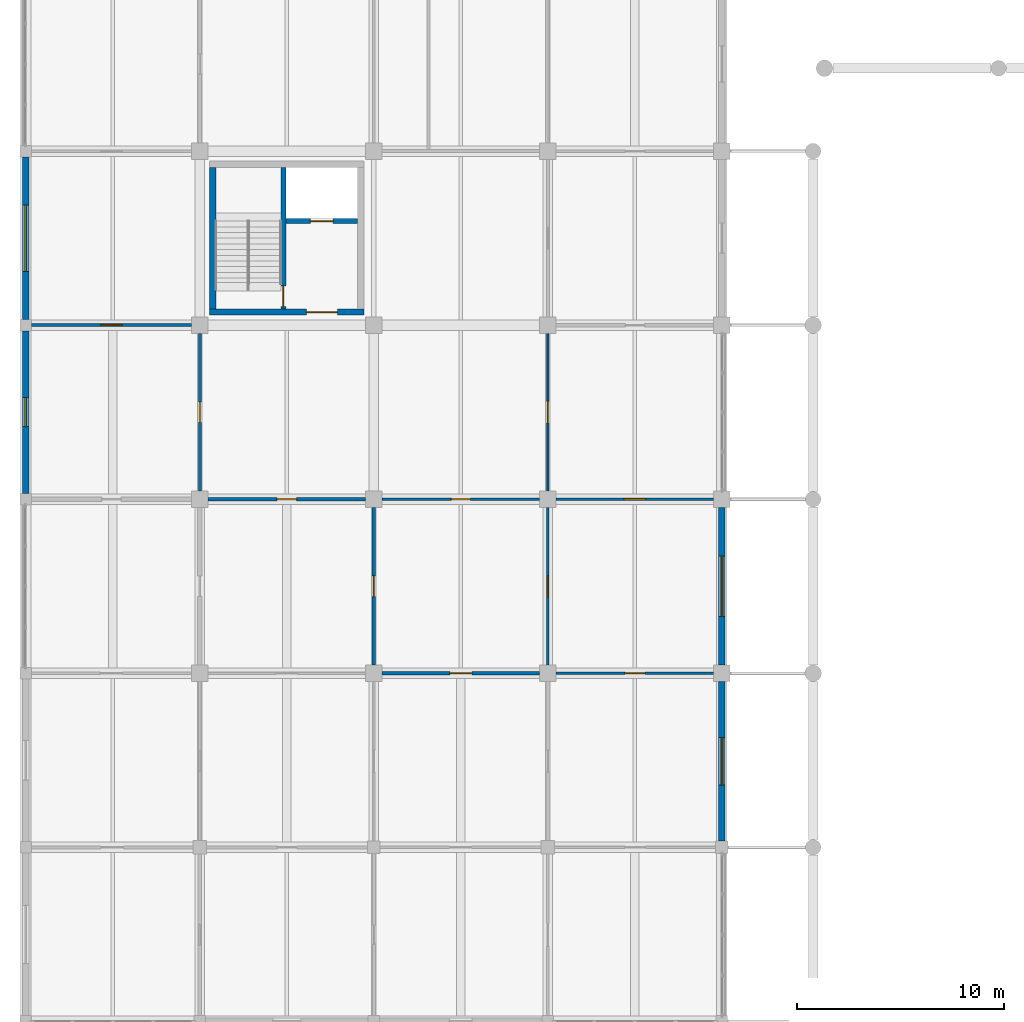
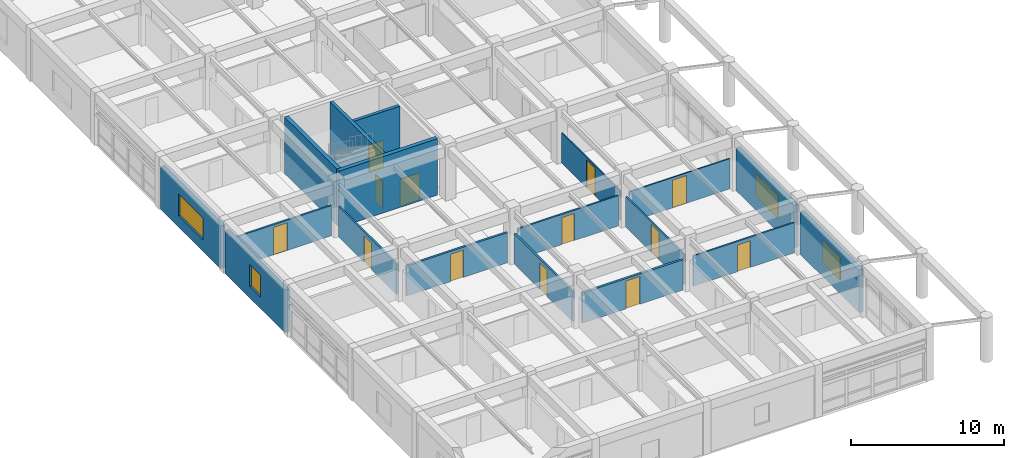
# One storey, part 80 of 99: 18 walls, 13 doors, 4 windows, 17 openings.
"""IFC4 building model written with IfcOpenShell, lengths in metres."""

from ifc_helpers import new_model, si_unit, direction, frame, frame_2d, origin, place, context, subcontext, project, spatial, rectangle, extrude, material, layer, layer_set, type_object, element, fill, save


model = new_model("IFC4")

# Units and contexts
model_context = context("Model", 3, precision=1e-05, world=origin(), true_north=direction((0.0, 1.0)))
body_context = subcontext(model_context, "Body", "Model", "MODEL_VIEW")
ifc_project = project(units=[si_unit("LENGTHUNIT", "METRE"), si_unit("AREAUNIT", "SQUARE_METRE"), si_unit("VOLUMEUNIT", "CUBIC_METRE"), si_unit("PLANEANGLEUNIT", "RADIAN"), si_unit("MASSUNIT", "GRAM", prefix="KILO")], contexts=[model_context])

# Site, building, storey
site_placement = place(None, origin())
site = spatial("IfcSite", under=ifc_project, at=site_placement, CompositionType="ELEMENT")
building_placement = place(site_placement, origin())
building = spatial("IfcBuilding", under=site, at=building_placement, Name="Porcellanite Civic Hall", CompositionType="ELEMENT")
storey_placement = place(building_placement, frame((0.0, 0.0, 5.760009765625)))
storey = spatial("IfcBuildingStorey", under=building, at=storey_placement, Name="L01", CompositionType="ELEMENT", Elevation=5.760009765625)

# Wall, opening, door
ifc_material_1 = material(Name="Concrete N40 (40 MPa)", Category="concrete")
ifc_layer_1 = layer(ifc_material_1, 0.239990234375)
ifc_layer_set_1 = layer_set([ifc_layer_1], Name="Concrete N40 (40 MPa)")
wall_type_1 = type_object("IfcWallType", Name="CW-SH240", PredefinedType="SHEAR", material=ifc_layer_set_1)
wall_1_placement = place(storey_placement, frame((12.43994140625, 34.3798828125, 0.0), z_axis=(0.0, 0.0, 1.0), x_axis=(0.0, 1.0, 0.0)))
wall_1 = element("IfcWall", 1, at=wall_1_placement, inside=storey, type_object=wall_type_1, Name="Core divider C1 L01", PredefinedType="SHEAR", context=body_context, shape_type="SweptSolid", body=[
    extrude(rectangle(XDim=6.840087890625, YDim=0.239990234375, at=frame_2d((3.419921875, 0.0))), origin(), (0.0, 0.0, 1.0), 4.5),
])
opening_1_placement = place(wall_1_placement, frame((0.1201171875, 0.0, 0.0)))
opening_1 = element("IfcOpeningElement", 2, at=opening_1_placement, cuts=wall_1, Name="Opening FD-C1-L01-ST", PredefinedType="OPENING", context=body_context, shape_type="SweptSolid", body=[
    extrude(rectangle(XDim=1.0, YDim=2.14990234375, at=frame_2d((0.5, 1.074951171875))), frame((0.0, 0.1201171875, 0.0), z_axis=(0.0, -1.0, 0.0), x_axis=(1.0, 0.0, 0.0)), (0.0, 0.0, 1.0), 0.239990234375),
])
ifc_material_2 = material(Name="Fire-rated solid-core hardwood timber", Category="wood")
door_type_1 = type_object("IfcDoorType", Name="DR-FD100", OperationType="NOTDEFINED", PredefinedType="DOOR", material=ifc_material_2)
door_1_placement = place(opening_1_placement, origin())
door_1 = element("IfcDoor", 3, at=door_1_placement, inside=storey, type_object=door_type_1, Name="Fire stair door FD-C1-L01-ST", OperationType="SINGLE_SWING_RIGHT", OverallHeight=2.14990234375, OverallWidth=1.0, PredefinedType="DOOR", context=body_context, shape_type="SweptSolid", body=[
    extrude(rectangle(XDim=1.0, YDim=2.14990234375, at=frame_2d((0.5, 1.074951171875))), frame((0.0, 0.02490234375, 0.0), z_axis=(0.0, -1.0, 0.0), x_axis=(1.0, 0.0, 0.0)), (0.0, 0.0, 1.0), 0.050048828125),
])
fill(opening_1, door_1)

wall_2_placement = place(storey_placement, frame((12.56005859375, 38.6201171875, 0.0), z_axis=(0.0, 0.0, 1.0), x_axis=(1.0, 0.0, 0.0)))
wall_2 = element("IfcWall", 4, at=wall_2_placement, inside=storey, type_object=wall_type_1, Name="Lift shaft wall C1 L01", PredefinedType="SHEAR", context=body_context, shape_type="SweptSolid", body=[
    extrude(rectangle(XDim=3.4599609375, YDim=0.239990234375, at=frame_2d((1.72998046875, 0.0))), origin(), (0.0, 0.0, 1.0), 4.5),
])
opening_2_placement = place(wall_2_placement, frame((1.179931640625, 0.0, 0.0)))
opening_2 = element("IfcOpeningElement", 5, at=opening_2_placement, cuts=wall_2, Name="Opening LD-03", PredefinedType="OPENING", context=body_context, shape_type="SweptSolid", body=[
    extrude(rectangle(XDim=1.10009765625, YDim=2.14990234375, at=frame_2d((0.550048828125, 1.074951171875))), frame((0.0, 0.1201171875, 0.0), z_axis=(0.0, -1.0, 0.0), x_axis=(1.0, 0.0, 0.0)), (0.0, 0.0, 1.0), 0.239990234375),
])
ifc_material_3 = material(Name="Brushed stainless steel 316", Category="steel")
door_type_2 = type_object("IfcDoorType", Name="DR-LD110", OperationType="DOUBLE_DOOR_SLIDING", PredefinedType="DOOR", material=ifc_material_3)
door_2_placement = place(opening_2_placement, origin())
door_2 = element("IfcDoor", 6, at=door_2_placement, inside=storey, type_object=door_type_2, Name="Lift landing sliding door LD-03 L01", OperationType="DOUBLE_DOOR_SLIDING", OverallHeight=2.14990234375, OverallWidth=1.10009765625, PredefinedType="DOOR", context=body_context, shape_type="SweptSolid", body=[
    extrude(rectangle(XDim=1.10009765625, YDim=2.14990234375, at=frame_2d((0.550048828125, 1.074951171875))), frame((0.0, 0.02490234375, 0.0), z_axis=(0.0, -1.0, 0.0), x_axis=(1.0, 0.0, 0.0)), (0.0, 0.0, 1.0), 0.050048828125),
])
fill(opening_2, door_2)

ifc_material_4 = material(Name="Concrete N40 (40 MPa)", Category="concrete")
ifc_layer_2 = layer(ifc_material_4, 0.300048828125)
ifc_layer_set_2 = layer_set([ifc_layer_2], Name="Concrete N40 (40 MPa)")
wall_type_2 = type_object("IfcWallType", Name="CW-SH300", PredefinedType="SHEAR", material=ifc_layer_set_2)
wall_3_placement = place(storey_placement, frame((16.320068359375, 34.22998046875, 0.0), z_axis=(0.0, 0.0, 1.0), x_axis=(-1.0, 0.0, 0.0)))
wall_3 = element("IfcWall", 7, at=wall_3_placement, inside=storey, type_object=wall_type_2, Name="Core wall C1 L01 S", PredefinedType="SHEAR", context=body_context, shape_type="SweptSolid", body=[
    extrude(rectangle(XDim=7.440185546875, YDim=0.300048828125, at=frame_2d((3.72021484375, 0.0))), origin(), (0.0, 0.0, 1.0), 4.5),
])
opening_3_placement = place(wall_3_placement, frame((1.280029296875, 0.0, 0.0)))
opening_3 = element("IfcOpeningElement", 8, at=opening_3_placement, cuts=wall_3, Name="Opening FD-C1-L01-LB", PredefinedType="OPENING", context=body_context, shape_type="SweptSolid", body=[
    extrude(rectangle(XDim=1.5, YDim=2.14990234375, at=frame_2d((0.75, 1.074951171875))), frame((0.0, 0.14990234375, 0.0), z_axis=(0.0, -1.0, 0.0), x_axis=(1.0, 0.0, 0.0)), (0.0, 0.0, 1.0), 0.300048828125),
])
ifc_material_5 = material(Name="Fire-rated steel and Georgian wired glass", Category="steel")
door_type_3 = type_object("IfcDoorType", Name="DR-FD150", OperationType="DOUBLE_DOOR_SINGLE_SWING", PredefinedType="DOOR", material=ifc_material_5)
door_3_placement = place(opening_3_placement, origin())
door_3 = element("IfcDoor", 9, at=door_3_placement, inside=storey, type_object=door_type_3, Name="Fire lobby double door FD-C1-L01-LB", OperationType="DOUBLE_DOOR_SINGLE_SWING", OverallHeight=2.14990234375, OverallWidth=1.5, PredefinedType="DOOR", context=body_context, shape_type="SweptSolid", body=[
    extrude(rectangle(XDim=1.5, YDim=2.14990234375, at=frame_2d((0.75, 1.074951171875))), frame((0.0, 0.02490234375, 0.0), z_axis=(0.0, -1.0, 0.0), x_axis=(1.0, 0.0, 0.0)), (0.0, 0.0, 1.0), 0.050048828125),
])
fill(opening_3, door_3)

# Wall
wall_4_placement = place(storey_placement, frame((9.030029296875, 34.3798828125, 0.0), z_axis=(0.0, 0.0, 1.0), x_axis=(0.0, 1.0, 0.0)))
element("IfcWall", 10, at=wall_4_placement, inside=storey, type_object=wall_type_2, Name="Core wall C1 L01 W", PredefinedType="SHEAR", context=body_context, shape_type="SweptSolid", body=[
    extrude(rectangle(XDim=6.840087890625, YDim=0.300048828125, at=frame_2d((3.419921875, 0.0))), origin(), (0.0, 0.0, 1.0), 4.5),
])

# Wall, opening, window
ifc_material_6 = material(Name="Precast concrete N40 (40 MPa)", Category="concrete")
ifc_layer_3 = layer(ifc_material_6, 0.320068359375)
ifc_layer_set_3 = layer_set([ifc_layer_3], Name="Precast concrete N40 (40 MPa)")
wall_type_3 = type_object("IfcWallType", Name="EW-COM320", PredefinedType="SOLIDWALL", material=ifc_layer_set_3)
wall_5_placement = place(storey_placement, frame((0.0, 25.47607421875, 0.0), z_axis=(0.0, 0.0, 1.0), x_axis=(0.0, 1.0, 0.0)))
wall_5 = element("IfcWall", 11, at=wall_5_placement, inside=storey, type_object=wall_type_3, Name="Exterior wall L01 W 1-4", PredefinedType="SOLIDWALL", context=body_context, shape_type="SweptSolid", body=[
    extrude(rectangle(XDim=7.847900390625, YDim=0.320068359375, at=frame_2d((3.923828125, 0.0))), origin(), (0.0, 0.0, 1.0), 3.39990234375),
])
opening_4_placement = place(wall_5_placement, frame((3.22412109375, 0.0, 0.89990234375)))
opening_4 = element("IfcOpeningElement", 12, at=opening_4_placement, cuts=wall_5, Name="Opening W16", PredefinedType="OPENING", context=body_context, shape_type="SweptSolid", body=[
    extrude(rectangle(XDim=1.39990234375, YDim=1.75, at=frame_2d((0.699951171875, 0.875))), frame((0.0, 0.16015625, 0.0), z_axis=(0.0, -1.0, 0.0), x_axis=(1.0, 0.0, 0.0)), (0.0, 0.0, 1.0), 0.320068359375),
])
ifc_material_7 = material(Name="Cyclone laminated low-E glazing in anodised aluminium frame", Category="aluminium")
window_type_1 = type_object("IfcWindowType", Name="WN-16", PartitioningType="SINGLE_PANEL", PredefinedType="WINDOW", material=ifc_material_7)
window_1_placement = place(opening_4_placement, origin())
window_1 = element("IfcWindow", 13, at=window_1_placement, inside=storey, type_object=window_type_1, Name="Window W16 L01 W 1-4", OverallHeight=1.75, OverallWidth=1.39990234375, PartitioningType="SINGLE_PANEL", PredefinedType="WINDOW", context=body_context, shape_type="SweptSolid", body=[
    extrude(rectangle(XDim=1.39990234375, YDim=1.75, at=frame_2d((0.699951171875, 0.875))), frame((0.0, 0.030029296875, 0.0), z_axis=(0.0, -1.0, 0.0), x_axis=(1.0, 0.0, 0.0)), (0.0, 0.0, 1.0), 0.06005859375),
])
fill(opening_4, window_1)

wall_6_placement = place(storey_placement, frame((0.0, 33.8759765625, 0.0), z_axis=(0.0, 0.0, 1.0), x_axis=(0.0, 1.0, 0.0)))
wall_6 = element("IfcWall", 14, at=wall_6_placement, inside=storey, type_object=wall_type_3, Name="Exterior wall L01 W 1-5", PredefinedType="SOLIDWALL", context=body_context, shape_type="SweptSolid", body=[
    extrude(rectangle(XDim=7.84814453125, YDim=0.320068359375, at=frame_2d((3.924072265625, 0.0))), origin(), (0.0, 0.0, 1.0), 3.39990234375),
])
opening_5_placement = place(wall_6_placement, frame((2.323974609375, 0.0, 0.89990234375)))
opening_5 = element("IfcOpeningElement", 15, at=opening_5_placement, cuts=wall_6, Name="Opening W17", PredefinedType="OPENING", context=body_context, shape_type="SweptSolid", body=[
    extrude(rectangle(XDim=3.199951171875, YDim=1.75, at=frame_2d((1.60009765625, 0.875))), frame((0.0, 0.16015625, 0.0), z_axis=(0.0, -1.0, 0.0), x_axis=(1.0, 0.0, 0.0)), (0.0, 0.0, 1.0), 0.320068359375),
])
ifc_material_8 = material(Name="Cyclone laminated low-E glazing in anodised aluminium frame", Category="aluminium")
window_type_2 = type_object("IfcWindowType", Name="WN-17", PartitioningType="TRIPLE_PANEL_VERTICAL", PredefinedType="WINDOW", material=ifc_material_8)
window_2_placement = place(opening_5_placement, origin())
window_2 = element("IfcWindow", 16, at=window_2_placement, inside=storey, type_object=window_type_2, Name="Window W17 L01 W 1-5", OverallHeight=1.75, OverallWidth=3.199951171875, PartitioningType="SINGLE_PANEL", PredefinedType="WINDOW", context=body_context, shape_type="SweptSolid", body=[
    extrude(rectangle(XDim=3.199951171875, YDim=1.75, at=frame_2d((1.60009765625, 0.875))), frame((0.0, 0.030029296875, 0.0), z_axis=(0.0, -1.0, 0.0), x_axis=(1.0, 0.0, 0.0)), (0.0, 0.0, 1.0), 0.06005859375),
])
fill(opening_5, window_2)

wall_7_placement = place(storey_placement, frame((33.60009765625, 16.39892578125, 0.0), z_axis=(0.0, 0.0, 1.0), x_axis=(0.0, -1.0, 0.0)))
wall_7 = element("IfcWall", 17, at=wall_7_placement, inside=storey, type_object=wall_type_3, Name="Exterior wall L01 E 4-2", PredefinedType="SOLIDWALL", context=body_context, shape_type="SweptSolid", body=[
    extrude(rectangle(XDim=7.697998046875, YDim=0.320068359375, at=frame_2d((3.84912109375, 0.0))), origin(), (0.0, 0.0, 1.0), 3.39990234375),
])
opening_6_placement = place(wall_7_placement, frame((2.698974609375, 0.0, 0.89990234375)))
opening_6 = element("IfcOpeningElement", 18, at=opening_6_placement, cuts=wall_7, Name="Opening W28", PredefinedType="OPENING", context=body_context, shape_type="SweptSolid", body=[
    extrude(rectangle(XDim=2.300048828125, YDim=1.85009765625, at=frame_2d((1.14990234375, 0.925048828125))), frame((0.0, 0.16015625, 0.0), z_axis=(0.0, -1.0, 0.0), x_axis=(1.0, 0.0, 0.0)), (0.0, 0.0, 1.0), 0.320068359375),
])
ifc_material_9 = material(Name="Cyclone laminated low-E glazing in anodised aluminium frame", Category="aluminium")
window_type_3 = type_object("IfcWindowType", Name="WN-28", PartitioningType="DOUBLE_PANEL_VERTICAL", PredefinedType="WINDOW", material=ifc_material_9)
window_3_placement = place(opening_6_placement, origin())
window_3 = element("IfcWindow", 19, at=window_3_placement, inside=storey, type_object=window_type_3, Name="Window W28 L01 E 4-2", OverallHeight=1.85009765625, OverallWidth=2.300048828125, PartitioningType="SINGLE_PANEL", PredefinedType="WINDOW", context=body_context, shape_type="SweptSolid", body=[
    extrude(rectangle(XDim=2.300048828125, YDim=1.85009765625, at=frame_2d((1.14990234375, 0.925048828125))), frame((0.0, 0.030029296875, 0.0), z_axis=(0.0, -1.0, 0.0), x_axis=(1.0, 0.0, 0.0)), (0.0, 0.0, 1.0), 0.06005859375),
])
fill(opening_6, window_3)

wall_8_placement = place(storey_placement, frame((33.60009765625, 24.799072265625, 0.0), z_axis=(0.0, 0.0, 1.0), x_axis=(0.0, -1.0, 0.0)))
wall_8 = element("IfcWall", 20, at=wall_8_placement, inside=storey, type_object=wall_type_3, Name="Exterior wall L01 E 4-3", PredefinedType="SOLIDWALL", context=body_context, shape_type="SweptSolid", body=[
    extrude(rectangle(XDim=7.59814453125, YDim=0.320068359375, at=frame_2d((3.799072265625, 0.0))), origin(), (0.0, 0.0, 1.0), 3.39990234375),
])
opening_7_placement = place(wall_8_placement, frame((2.34912109375, 0.0, 0.89990234375)))
opening_7 = element("IfcOpeningElement", 21, at=opening_7_placement, cuts=wall_8, Name="Opening W29", PredefinedType="OPENING", context=body_context, shape_type="SweptSolid", body=[
    extrude(rectangle(XDim=2.89990234375, YDim=1.85009765625, at=frame_2d((1.449951171875, 0.925048828125))), frame((0.0, 0.16015625, 0.0), z_axis=(0.0, -1.0, 0.0), x_axis=(1.0, 0.0, 0.0)), (0.0, 0.0, 1.0), 0.320068359375),
])
ifc_material_10 = material(Name="Cyclone laminated low-E glazing in anodised aluminium frame", Category="aluminium")
window_type_4 = type_object("IfcWindowType", Name="WN-29", PartitioningType="TRIPLE_PANEL_VERTICAL", PredefinedType="WINDOW", material=ifc_material_10)
window_4_placement = place(opening_7_placement, origin())
window_4 = element("IfcWindow", 22, at=window_4_placement, inside=storey, type_object=window_type_4, Name="Window W29 L01 E 4-3", OverallHeight=1.85009765625, OverallWidth=2.89990234375, PartitioningType="SINGLE_PANEL", PredefinedType="WINDOW", context=body_context, shape_type="SweptSolid", body=[
    extrude(rectangle(XDim=2.89990234375, YDim=1.85009765625, at=frame_2d((1.449951171875, 0.925048828125))), frame((0.0, 0.030029296875, 0.0), z_axis=(0.0, -1.0, 0.0), x_axis=(1.0, 0.0, 0.0)), (0.0, 0.0, 1.0), 0.06005859375),
])
fill(opening_7, window_4)

# Wall, opening, door
ifc_material_11 = material(Name="Insulated acoustic plasterboard on light-gauge steel studs", Category="steel")
ifc_layer_4 = layer(ifc_material_11, 0.087890625)
ifc_layer_set_4 = layer_set([ifc_layer_4], Name="Insulated acoustic plasterboard on light-gauge steel studs")
wall_type_4 = type_object("IfcWallType", Name="IW-PT088", PredefinedType="PARTITIONING", material=ifc_layer_set_4)
wall_9_placement = place(storey_placement, frame((25.199951171875, 25.60205078125, 0.0), z_axis=(0.0, 0.0, 1.0), x_axis=(0.0, 1.0, 0.0)))
wall_9 = element("IfcWall", 23, at=wall_9_placement, inside=storey, type_object=wall_type_4, Name="Partition L01 V 3-4", PredefinedType="PARTITIONING", context=body_context, shape_type="SweptSolid", body=[
    extrude(rectangle(XDim=7.595947265625, YDim=0.087890625, at=frame_2d((3.7978515625, 0.0))), origin(), (0.0, 0.0, 1.0), 2.39990234375),
])
opening_8_placement = place(wall_9_placement, frame((3.26806640625, 0.0, 0.0)))
opening_8 = element("IfcOpeningElement", 24, at=opening_8_placement, cuts=wall_9, Name="Opening D-L01-209", PredefinedType="OPENING", context=body_context, shape_type="SweptSolid", body=[
    extrude(rectangle(XDim=1.06005859375, YDim=2.219970703125, at=frame_2d((0.530029296875, 1.10986328125))), frame((0.0, 0.0439453125, 0.0), z_axis=(0.0, -1.0, 0.0), x_axis=(1.0, 0.0, 0.0)), (0.0, 0.0, 1.0), 0.087890625),
])
ifc_material_12 = material(Name="Solid-core spotted-gum timber", Category="wood")
door_type_4 = type_object("IfcDoorType", Name="DR-RM106", OperationType="NOTDEFINED", PredefinedType="DOOR", material=ifc_material_12)
door_4_placement = place(opening_8_placement, origin())
door_4 = element("IfcDoor", 25, at=door_4_placement, inside=storey, type_object=door_type_4, Name="Interior door D-L01-209", OperationType="SINGLE_SWING_LEFT", OverallHeight=2.219970703125, OverallWidth=1.06005859375, PredefinedType="DOOR", context=body_context, shape_type="SweptSolid", body=[
    extrude(rectangle(XDim=1.06005859375, YDim=2.219970703125, at=frame_2d((0.530029296875, 1.10986328125))), frame((0.0, 0.02490234375, 0.0), z_axis=(0.0, -1.0, 0.0), x_axis=(1.0, 0.0, 0.0)), (0.0, 0.0, 1.0), 0.050048828125),
])
fill(opening_8, door_4)

ifc_material_13 = material(Name="Insulated acoustic plasterboard on light-gauge steel studs", Category="steel")
ifc_layer_5 = layer(ifc_material_13, 0.10498046875)
ifc_layer_set_5 = layer_set([ifc_layer_5], Name="Insulated acoustic plasterboard on light-gauge steel studs")
wall_type_5 = type_object("IfcWallType", Name="IW-PT105", PredefinedType="PARTITIONING", material=ifc_layer_set_5)
wall_10_placement = place(storey_placement, frame((25.60205078125, 25.199951171875, 0.0), z_axis=(0.0, 0.0, 1.0), x_axis=(1.0, 0.0, 0.0)))
wall_10 = element("IfcWall", 26, at=wall_10_placement, inside=storey, type_object=wall_type_5, Name="Partition L01 H 4-3", PredefinedType="PARTITIONING", context=body_context, shape_type="SweptSolid", body=[
    extrude(rectangle(XDim=7.595947265625, YDim=0.10498046875, at=frame_2d((3.7978515625, 0.0))), origin(), (0.0, 0.0, 1.0), 2.39990234375),
])
opening_9_placement = place(wall_10_placement, frame((3.278076171875, 0.0, 0.0)))
opening_9 = element("IfcOpeningElement", 27, at=opening_9_placement, cuts=wall_10, Name="Opening D-L01-262", PredefinedType="OPENING", context=body_context, shape_type="SweptSolid", body=[
    extrude(rectangle(XDim=1.0400390625, YDim=2.199951171875, at=frame_2d((0.52001953125, 1.10009765625))), frame((0.0, 0.052490234375, 0.0), z_axis=(0.0, -1.0, 0.0), x_axis=(1.0, 0.0, 0.0)), (0.0, 0.0, 1.0), 0.10498046875),
])
ifc_material_14 = material(Name="Solid-core spotted-gum timber", Category="wood")
door_type_5 = type_object("IfcDoorType", Name="DR-RM104", OperationType="NOTDEFINED", PredefinedType="DOOR", material=ifc_material_14)
door_5_placement = place(opening_9_placement, origin())
door_5 = element("IfcDoor", 28, at=door_5_placement, inside=storey, type_object=door_type_5, Name="Interior door D-L01-262", OperationType="SINGLE_SWING_RIGHT", OverallHeight=2.199951171875, OverallWidth=1.0400390625, PredefinedType="DOOR", context=body_context, shape_type="SweptSolid", body=[
    extrude(rectangle(XDim=1.0400390625, YDim=2.199951171875, at=frame_2d((0.52001953125, 1.10009765625))), frame((0.0, 0.02490234375, 0.0), z_axis=(0.0, -1.0, 0.0), x_axis=(1.0, 0.0, 0.0)), (0.0, 0.0, 1.0), 0.050048828125),
])
fill(opening_9, door_5)

ifc_material_15 = material(Name="Insulated acoustic plasterboard on light-gauge steel studs", Category="steel")
ifc_layer_6 = layer(ifc_material_15, 0.135009765625)
ifc_layer_set_6 = layer_set([ifc_layer_6], Name="Insulated acoustic plasterboard on light-gauge steel studs")
wall_type_6 = type_object("IfcWallType", Name="IW-PT135", PredefinedType="PARTITIONING", material=ifc_layer_set_6)
wall_11_placement = place(storey_placement, frame((17.201904296875, 25.199951171875, 0.0), z_axis=(0.0, 0.0, 1.0), x_axis=(1.0, 0.0, 0.0)))
wall_11 = element("IfcWall", 29, at=wall_11_placement, inside=storey, type_object=wall_type_6, Name="Partition L01 H 3-3", PredefinedType="PARTITIONING", context=body_context, shape_type="SweptSolid", body=[
    extrude(rectangle(XDim=7.59619140625, YDim=0.135009765625, at=frame_2d((3.798095703125, 0.0))), origin(), (0.0, 0.0, 1.0), 2.39990234375),
])
opening_10_placement = place(wall_11_placement, frame((3.337890625, 0.0, 0.0)))
opening_10 = element("IfcOpeningElement", 30, at=opening_10_placement, cuts=wall_11, Name="Opening D-L01-190", PredefinedType="OPENING", context=body_context, shape_type="SweptSolid", body=[
    extrude(rectangle(XDim=0.919921875, YDim=2.14990234375, at=frame_2d((0.4599609375, 1.074951171875))), frame((0.0, 0.0673828125, 0.0), z_axis=(0.0, -1.0, 0.0), x_axis=(1.0, 0.0, 0.0)), (0.0, 0.0, 1.0), 0.135009765625),
])
ifc_material_16 = material(Name="Solid-core spotted-gum timber", Category="wood")
door_type_6 = type_object("IfcDoorType", Name="DR-RM092", OperationType="NOTDEFINED", PredefinedType="DOOR", material=ifc_material_16)
door_6_placement = place(opening_10_placement, origin())
door_6 = element("IfcDoor", 31, at=door_6_placement, inside=storey, type_object=door_type_6, Name="Interior door D-L01-190", OperationType="SINGLE_SWING_RIGHT", OverallHeight=2.14990234375, OverallWidth=0.919921875, PredefinedType="DOOR", context=body_context, shape_type="SweptSolid", body=[
    extrude(rectangle(XDim=0.919921875, YDim=2.14990234375, at=frame_2d((0.4599609375, 1.074951171875))), frame((0.0, 0.02490234375, 0.0), z_axis=(0.0, -1.0, 0.0), x_axis=(1.0, 0.0, 0.0)), (0.0, 0.0, 1.0), 0.050048828125),
])
fill(opening_10, door_6)

ifc_material_17 = material(Name="Insulated acoustic plasterboard on light-gauge steel studs", Category="steel")
ifc_layer_7 = layer(ifc_material_17, 0.14501953125)
ifc_layer_set_7 = layer_set([ifc_layer_7], Name="Insulated acoustic plasterboard on light-gauge steel studs")
wall_type_7 = type_object("IfcWallType", Name="IW-PT145", PredefinedType="PARTITIONING", material=ifc_layer_set_7)
wall_12_placement = place(storey_placement, frame((0.277099609375, 33.60009765625, 0.0), z_axis=(0.0, 0.0, 1.0), x_axis=(1.0, 0.0, 0.0)))
wall_12 = element("IfcWall", 32, at=wall_12_placement, inside=storey, type_object=wall_type_7, Name="Partition L01 H 1-4", PredefinedType="PARTITIONING", context=body_context, shape_type="SweptSolid", body=[
    extrude(rectangle(XDim=7.720947265625, YDim=0.14501953125, at=frame_2d((3.8603515625, 0.0))), origin(), (0.0, 0.0, 1.0), 2.39990234375),
])
opening_11_placement = place(wall_12_placement, frame((3.341064453125, 0.0, 0.0)))
opening_11 = element("IfcOpeningElement", 33, at=opening_11_placement, cuts=wall_12, Name="Opening D-L01-223", PredefinedType="OPENING", context=body_context, shape_type="SweptSolid", body=[
    extrude(rectangle(XDim=1.0400390625, YDim=2.199951171875, at=frame_2d((0.52001953125, 1.10009765625))), frame((0.0, 0.072509765625, 0.0), z_axis=(0.0, -1.0, 0.0), x_axis=(1.0, 0.0, 0.0)), (0.0, 0.0, 1.0), 0.14501953125),
])
door_7_placement = place(opening_11_placement, origin())
door_7 = element("IfcDoor", 34, at=door_7_placement, inside=storey, type_object=door_type_5, Name="Interior door D-L01-223", OperationType="SINGLE_SWING_LEFT", OverallHeight=2.199951171875, OverallWidth=1.0400390625, PredefinedType="DOOR", context=body_context, shape_type="SweptSolid", body=[
    extrude(rectangle(XDim=1.0400390625, YDim=2.199951171875, at=frame_2d((0.52001953125, 1.10009765625))), frame((0.0, 0.02490234375, 0.0), z_axis=(0.0, -1.0, 0.0), x_axis=(1.0, 0.0, 0.0)), (0.0, 0.0, 1.0), 0.050048828125),
])
fill(opening_11, door_7)

wall_13_placement = place(storey_placement, frame((8.39990234375, 25.60205078125, 0.0), z_axis=(0.0, 0.0, 1.0), x_axis=(0.0, 1.0, 0.0)))
wall_13 = element("IfcWall", 35, at=wall_13_placement, inside=storey, type_object=wall_type_7, Name="Partition L01 V 1-4", PredefinedType="PARTITIONING", context=body_context, shape_type="SweptSolid", body=[
    extrude(rectangle(XDim=7.595947265625, YDim=0.14501953125, at=frame_2d((3.7978515625, 0.0))), origin(), (0.0, 0.0, 1.0), 2.39990234375),
])
opening_12_placement = place(wall_13_placement, frame((3.31298828125, 0.0, 0.0)))
opening_12 = element("IfcOpeningElement", 36, at=opening_12_placement, cuts=wall_13, Name="Opening D-L01-206", PredefinedType="OPENING", context=body_context, shape_type="SweptSolid", body=[
    extrude(rectangle(XDim=0.969970703125, YDim=2.1201171875, at=frame_2d((0.48486328125, 1.06005859375))), frame((0.0, 0.072509765625, 0.0), z_axis=(0.0, -1.0, 0.0), x_axis=(1.0, 0.0, 0.0)), (0.0, 0.0, 1.0), 0.14501953125),
])
ifc_material_18 = material(Name="Solid-core spotted-gum timber", Category="wood")
door_type_7 = type_object("IfcDoorType", Name="DR-RM097", OperationType="NOTDEFINED", PredefinedType="DOOR", material=ifc_material_18)
door_8_placement = place(opening_12_placement, origin())
door_8 = element("IfcDoor", 37, at=door_8_placement, inside=storey, type_object=door_type_7, Name="Interior door D-L01-206", OperationType="SINGLE_SWING_RIGHT", OverallHeight=2.1201171875, OverallWidth=0.969970703125, PredefinedType="DOOR", context=body_context, shape_type="SweptSolid", body=[
    extrude(rectangle(XDim=0.969970703125, YDim=2.1201171875, at=frame_2d((0.48486328125, 1.06005859375))), frame((0.0, 0.02490234375, 0.0), z_axis=(0.0, -1.0, 0.0), x_axis=(1.0, 0.0, 0.0)), (0.0, 0.0, 1.0), 0.050048828125),
])
fill(opening_12, door_8)

ifc_material_19 = material(Name="Insulated acoustic plasterboard on light-gauge steel studs", Category="steel")
ifc_layer_8 = layer(ifc_material_19, 0.1650390625)
ifc_layer_set_8 = layer_set([ifc_layer_8], Name="Insulated acoustic plasterboard on light-gauge steel studs")
wall_type_8 = type_object("IfcWallType", Name="IW-PT165", PredefinedType="PARTITIONING", material=ifc_layer_set_8)
wall_14_placement = place(storey_placement, frame((8.802001953125, 25.199951171875, 0.0), z_axis=(0.0, 0.0, 1.0), x_axis=(1.0, 0.0, 0.0)))
wall_14 = element("IfcWall", 38, at=wall_14_placement, inside=storey, type_object=wall_type_8, Name="Partition L01 H 2-3", PredefinedType="PARTITIONING", context=body_context, shape_type="SweptSolid", body=[
    extrude(rectangle(XDim=7.595947265625, YDim=0.1650390625, at=frame_2d((3.7978515625, 0.0))), origin(), (0.0, 0.0, 1.0), 2.39990234375),
])
opening_13_placement = place(wall_14_placement, frame((3.318115234375, 0.0, 0.0)))
opening_13 = element("IfcOpeningElement", 39, at=opening_13_placement, cuts=wall_14, Name="Opening D-L01-188", PredefinedType="OPENING", context=body_context, shape_type="SweptSolid", body=[
    extrude(rectangle(XDim=0.9599609375, YDim=2.179931640625, at=frame_2d((0.47998046875, 1.08984375))), frame((0.0, 0.08251953125, 0.0), z_axis=(0.0, -1.0, 0.0), x_axis=(1.0, 0.0, 0.0)), (0.0, 0.0, 1.0), 0.1650390625),
])
ifc_material_20 = material(Name="Solid-core spotted-gum timber", Category="wood")
door_type_8 = type_object("IfcDoorType", Name="DR-RM096", OperationType="NOTDEFINED", PredefinedType="DOOR", material=ifc_material_20)
door_9_placement = place(opening_13_placement, origin())
door_9 = element("IfcDoor", 40, at=door_9_placement, inside=storey, type_object=door_type_8, Name="Interior door D-L01-188", OperationType="SINGLE_SWING_RIGHT", OverallHeight=2.179931640625, OverallWidth=0.9599609375, PredefinedType="DOOR", context=body_context, shape_type="SweptSolid", body=[
    extrude(rectangle(XDim=0.9599609375, YDim=2.179931640625, at=frame_2d((0.47998046875, 1.08984375))), frame((0.0, 0.02490234375, 0.0), z_axis=(0.0, -1.0, 0.0), x_axis=(1.0, 0.0, 0.0)), (0.0, 0.0, 1.0), 0.050048828125),
])
fill(opening_13, door_9)

wall_15_placement = place(storey_placement, frame((16.800048828125, 17.201904296875, 0.0), z_axis=(0.0, 0.0, 1.0), x_axis=(0.0, 1.0, 0.0)))
wall_15 = element("IfcWall", 41, at=wall_15_placement, inside=storey, type_object=wall_type_8, Name="Partition L01 V 2-3", PredefinedType="PARTITIONING", context=body_context, shape_type="SweptSolid", body=[
    extrude(rectangle(XDim=7.59619140625, YDim=0.1650390625, at=frame_2d((3.798095703125, 0.0))), origin(), (0.0, 0.0, 1.0), 2.39990234375),
])
opening_14_placement = place(wall_15_placement, frame((3.29296875, 0.0, 0.0)))
opening_14 = element("IfcOpeningElement", 42, at=opening_14_placement, cuts=wall_15, Name="Opening D-L01-283", PredefinedType="OPENING", context=body_context, shape_type="SweptSolid", body=[
    extrude(rectangle(XDim=1.010009765625, YDim=2.1201171875, at=frame_2d((0.5048828125, 1.06005859375))), frame((0.0, 0.08251953125, 0.0), z_axis=(0.0, -1.0, 0.0), x_axis=(1.0, 0.0, 0.0)), (0.0, 0.0, 1.0), 0.1650390625),
])
ifc_material_21 = material(Name="Solid-core spotted-gum timber", Category="wood")
door_type_9 = type_object("IfcDoorType", Name="DR-RM101", OperationType="NOTDEFINED", PredefinedType="DOOR", material=ifc_material_21)
door_10_placement = place(opening_14_placement, origin())
door_10 = element("IfcDoor", 43, at=door_10_placement, inside=storey, type_object=door_type_9, Name="Interior door D-L01-283", OperationType="SINGLE_SWING_LEFT", OverallHeight=2.1201171875, OverallWidth=1.010009765625, PredefinedType="DOOR", context=body_context, shape_type="SweptSolid", body=[
    extrude(rectangle(XDim=1.010009765625, YDim=2.1201171875, at=frame_2d((0.5048828125, 1.06005859375))), frame((0.0, 0.02490234375, 0.0), z_axis=(0.0, -1.0, 0.0), x_axis=(1.0, 0.0, 0.0)), (0.0, 0.0, 1.0), 0.050048828125),
])
fill(opening_14, door_10)

ifc_material_22 = material(Name="Insulated acoustic plasterboard on light-gauge steel studs", Category="steel")
ifc_layer_9 = layer(ifc_material_22, 0.18505859375)
ifc_layer_set_9 = layer_set([ifc_layer_9], Name="Insulated acoustic plasterboard on light-gauge steel studs")
wall_type_9 = type_object("IfcWallType", Name="IW-PT185", PredefinedType="PARTITIONING", material=ifc_layer_set_9)
wall_16_placement = place(storey_placement, frame((17.201904296875, 16.800048828125, 0.0), z_axis=(0.0, 0.0, 1.0), x_axis=(1.0, 0.0, 0.0)))
wall_16 = element("IfcWall", 44, at=wall_16_placement, inside=storey, type_object=wall_type_9, Name="Partition L01 H 3-2", PredefinedType="PARTITIONING", context=body_context, shape_type="SweptSolid", body=[
    extrude(rectangle(XDim=7.59619140625, YDim=0.18505859375, at=frame_2d((3.798095703125, 0.0))), origin(), (0.0, 0.0, 1.0), 2.39990234375),
])
opening_15_placement = place(wall_16_placement, frame((3.26806640625, 0.0, 0.0)))
opening_15 = element("IfcOpeningElement", 45, at=opening_15_placement, cuts=wall_16, Name="Opening D-L01-261", PredefinedType="OPENING", context=body_context, shape_type="SweptSolid", body=[
    extrude(rectangle(XDim=1.06005859375, YDim=2.219970703125, at=frame_2d((0.530029296875, 1.10986328125))), frame((0.0, 0.092529296875, 0.0), z_axis=(0.0, -1.0, 0.0), x_axis=(1.0, 0.0, 0.0)), (0.0, 0.0, 1.0), 0.18505859375),
])
door_11_placement = place(opening_15_placement, origin())
door_11 = element("IfcDoor", 46, at=door_11_placement, inside=storey, type_object=door_type_4, Name="Interior door D-L01-261", OperationType="SINGLE_SWING_LEFT", OverallHeight=2.219970703125, OverallWidth=1.06005859375, PredefinedType="DOOR", context=body_context, shape_type="SweptSolid", body=[
    extrude(rectangle(XDim=1.06005859375, YDim=2.219970703125, at=frame_2d((0.530029296875, 1.10986328125))), frame((0.0, 0.02490234375, 0.0), z_axis=(0.0, -1.0, 0.0), x_axis=(1.0, 0.0, 0.0)), (0.0, 0.0, 1.0), 0.050048828125),
])
fill(opening_15, door_11)

ifc_material_23 = material(Name="Acoustic timber-veneered operable panel system", Category="wood")
ifc_layer_10 = layer(ifc_material_23, 0.1298828125)
ifc_layer_set_10 = layer_set([ifc_layer_10], Name="Acoustic timber-veneered operable panel system")
wall_type_10 = type_object("IfcWallType", Name="MW-OP130", PredefinedType="MOVABLE", material=ifc_layer_set_10)
wall_17_placement = place(storey_placement, frame((25.60205078125, 16.800048828125, 0.0), z_axis=(0.0, 0.0, 1.0), x_axis=(1.0, 0.0, 0.0)))
wall_17 = element("IfcWall", 47, at=wall_17_placement, inside=storey, type_object=wall_type_10, Name="Partition L01 H 4-2", PredefinedType="MOVABLE", context=body_context, shape_type="SweptSolid", body=[
    extrude(rectangle(XDim=7.595947265625, YDim=0.1298828125, at=frame_2d((3.7978515625, 0.0))), origin(), (0.0, 0.0, 1.0), 2.39990234375),
])
opening_16_placement = place(wall_17_placement, frame((3.31298828125, 0.0, 0.0)))
opening_16 = element("IfcOpeningElement", 48, at=opening_16_placement, cuts=wall_17, Name="Opening D-L01-232", PredefinedType="OPENING", context=body_context, shape_type="SweptSolid", body=[
    extrude(rectangle(XDim=0.969970703125, YDim=2.1201171875, at=frame_2d((0.48486328125, 1.06005859375))), frame((0.0, 0.06494140625, 0.0), z_axis=(0.0, -1.0, 0.0), x_axis=(1.0, 0.0, 0.0)), (0.0, 0.0, 1.0), 0.1298828125),
])
door_12_placement = place(opening_16_placement, origin())
door_12 = element("IfcDoor", 49, at=door_12_placement, inside=storey, type_object=door_type_7, Name="Interior door D-L01-232", OperationType="SINGLE_SWING_RIGHT", OverallHeight=2.1201171875, OverallWidth=0.969970703125, PredefinedType="DOOR", context=body_context, shape_type="SweptSolid", body=[
    extrude(rectangle(XDim=0.969970703125, YDim=2.1201171875, at=frame_2d((0.48486328125, 1.06005859375))), frame((0.0, 0.02490234375, 0.0), z_axis=(0.0, -1.0, 0.0), x_axis=(1.0, 0.0, 0.0)), (0.0, 0.0, 1.0), 0.050048828125),
])
fill(opening_16, door_12)

wall_18_placement = place(storey_placement, frame((25.199951171875, 17.201904296875, 0.0), z_axis=(0.0, 0.0, 1.0), x_axis=(0.0, 1.0, 0.0)))
wall_18 = element("IfcWall", 50, at=wall_18_placement, inside=storey, type_object=wall_type_10, Name="Partition L01 V 3-3", PredefinedType="MOVABLE", context=body_context, shape_type="SweptSolid", body=[
    extrude(rectangle(XDim=7.59619140625, YDim=0.1298828125, at=frame_2d((3.798095703125, 0.0))), origin(), (0.0, 0.0, 1.0), 2.39990234375),
])
opening_17_placement = place(wall_18_placement, frame((3.278076171875, 0.0, 0.0)))
opening_17 = element("IfcOpeningElement", 51, at=opening_17_placement, cuts=wall_18, Name="Opening D-L01-288", PredefinedType="OPENING", context=body_context, shape_type="SweptSolid", body=[
    extrude(rectangle(XDim=1.0400390625, YDim=2.199951171875, at=frame_2d((0.52001953125, 1.10009765625))), frame((0.0, 0.06494140625, 0.0), z_axis=(0.0, -1.0, 0.0), x_axis=(1.0, 0.0, 0.0)), (0.0, 0.0, 1.0), 0.1298828125),
])
door_13_placement = place(opening_17_placement, origin())
door_13 = element("IfcDoor", 52, at=door_13_placement, inside=storey, type_object=door_type_5, Name="Interior door D-L01-288", OperationType="SINGLE_SWING_RIGHT", OverallHeight=2.199951171875, OverallWidth=1.0400390625, PredefinedType="DOOR", context=body_context, shape_type="SweptSolid", body=[
    extrude(rectangle(XDim=1.0400390625, YDim=2.199951171875, at=frame_2d((0.52001953125, 1.10009765625))), frame((0.0, 0.02490234375, 0.0), z_axis=(0.0, -1.0, 0.0), x_axis=(1.0, 0.0, 0.0)), (0.0, 0.0, 1.0), 0.050048828125),
])
fill(opening_17, door_13)

save(model, "model.ifc")
